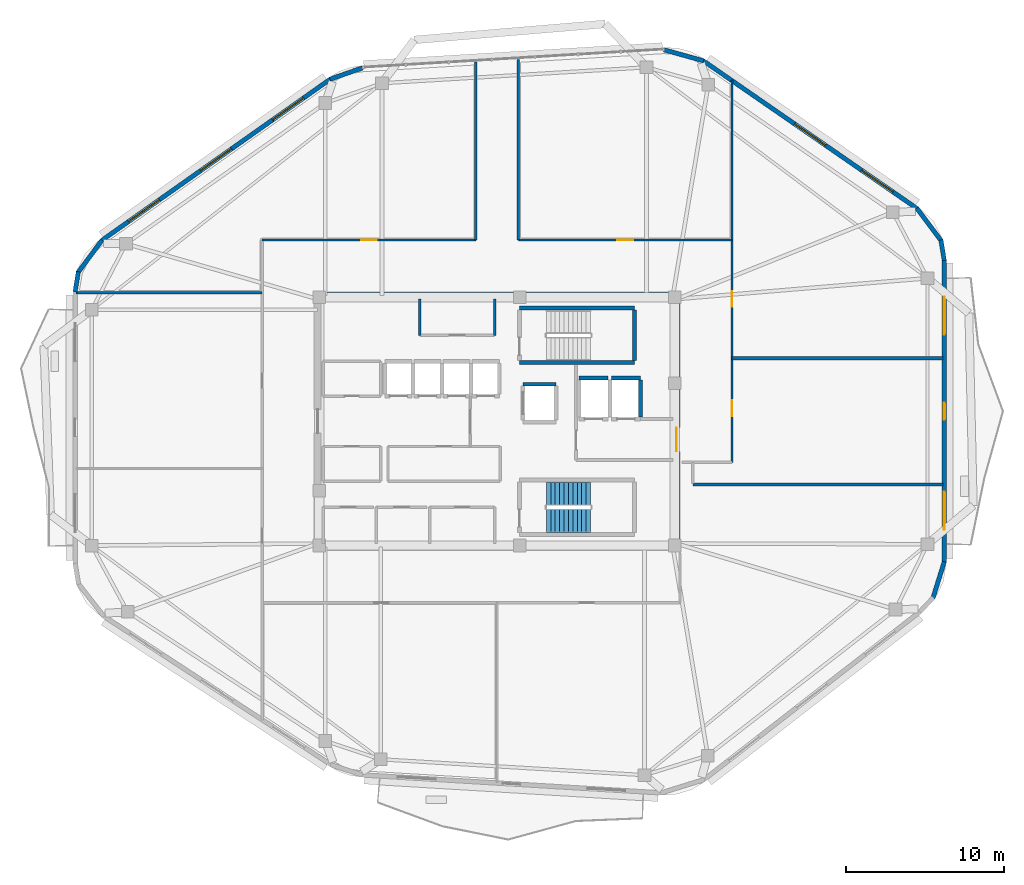
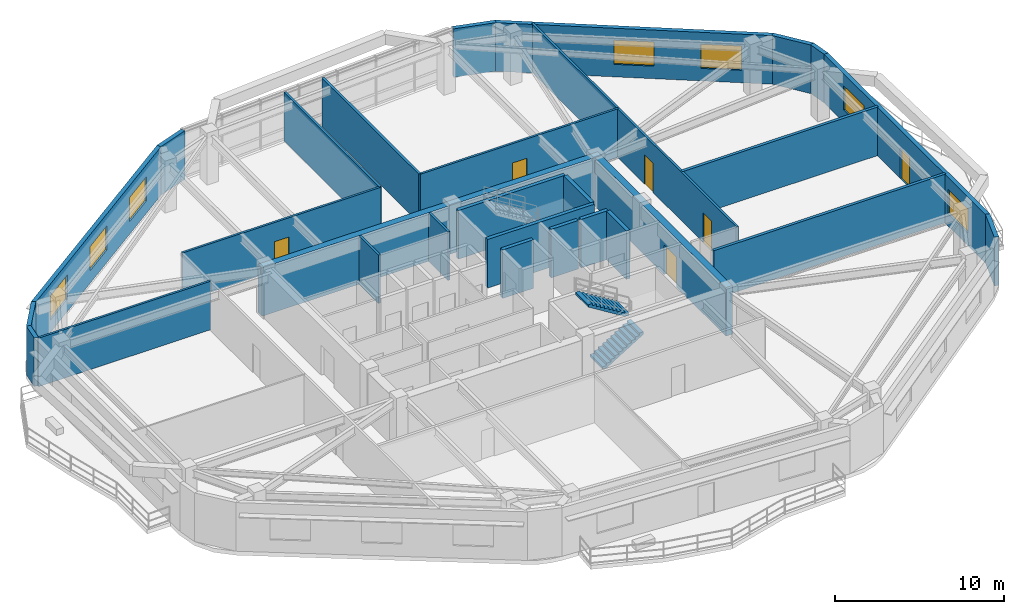
# One storey, part 8 of 12: 29 walls, 7 windows, 6 doors, 2 stair flights, 13 openings, 1 element without a shape of its own.
"""IFC4 building model written with IfcOpenShell, lengths in metres."""

from ifc_helpers import new_model, si_unit, direction, frame, frame_2d, origin, place, context, subcontext, project, spatial, polyline, rectangle, outline, extrude, material, layer, layer_set, type_object, element, fill, aggregate, save


model = new_model("IFC4")

# Units and contexts
model_context = context("Model", 3, precision=1e-05, world=origin(), true_north=direction((0.0, 1.0)))
body_context = subcontext(model_context, "Body", "Model", "MODEL_VIEW")
ifc_project = project(units=[si_unit("LENGTHUNIT", "METRE"), si_unit("AREAUNIT", "SQUARE_METRE"), si_unit("VOLUMEUNIT", "CUBIC_METRE"), si_unit("PLANEANGLEUNIT", "RADIAN"), si_unit("MASSUNIT", "GRAM", prefix="KILO")], contexts=[model_context])

# Site, building, storey
site_placement = place(None, origin())
site = spatial("IfcSite", under=ifc_project, at=site_placement, CompositionType="ELEMENT")
building_placement = place(site_placement, origin())
building = spatial("IfcBuilding", under=site, at=building_placement, Name="Zulverin Broadcast Headquarters", CompositionType="ELEMENT")
storey_placement = place(building_placement, frame((0.0, 0.0, 263.0)))
storey = spatial("IfcBuildingStorey", under=building, at=storey_placement, Name="L67", CompositionType="ELEMENT", Elevation=263.0)

# Walls
ifc_material_1 = material(Name="Acoustic drywall steel stud", Category="steel")
ifc_layer_1 = layer(ifc_material_1, 0.199951171875, Name="Acoustic drywall steel stud", Category="steel")
ifc_layer_set_1 = layer_set([ifc_layer_1], Name="Acoustic drywall steel stud")
wall_type_1 = type_object("IfcWallType", Name="WL-ACOU-200", PredefinedType="PARTITIONING", material=ifc_layer_set_1)
wall_1_placement = place(storey_placement, frame((49.43994140625, 21.199951171875, 0.0), z_axis=(0.0, 0.0, 1.0), x_axis=(1.0, 0.0, 0.0)))
element("IfcWall", 1, at=wall_1_placement, inside=storey, type_object=wall_type_1, Name="L67 Room Partition Wall RP-09", PredefinedType="PARTITIONING", context=body_context, shape_type="SweptSolid", body=[
    extrude(rectangle(XDim=15.85498046875, YDim=0.199951171875, at=frame_2d((7.927490234375, 0.0))), origin(), (0.0, 0.0, 1.0), 3.510009765625),
])
wall_2_placement = place(storey_placement, frame((51.89990234375, 29.199951171875, 0.0), z_axis=(0.0, 0.0, 1.0), x_axis=(1.0, 0.0, 0.0)))
element("IfcWall", 2, at=wall_2_placement, inside=storey, type_object=wall_type_1, Name="L67 Room Partition Wall RP-12", PredefinedType="PARTITIONING", context=body_context, shape_type="SweptSolid", body=[
    extrude(rectangle(XDim=13.39501953125, YDim=0.199951171875, at=frame_2d((6.697509765625, 0.0))), origin(), (0.0, 0.0, 1.0), 3.510009765625),
])
ifc_material_2 = material(Name="Concrete C50/60", Category="concrete")
ifc_layer_2 = layer(ifc_material_2, 0.449951171875, Name="Concrete C50/60", Category="concrete")
ifc_layer_set_2 = layer_set([ifc_layer_2], Name="Concrete C50/60")
wall_type_2 = type_object("IfcWallType", Name="WL-CORE-450", PredefinedType="SHEAR", material=ifc_layer_set_2)
wall_3_placement = place(storey_placement, frame((25.39990234375, 33.175048828125, 0.0), z_axis=(0.0, 0.0, 1.0), x_axis=(1.0, 0.0, 0.0)))
element("IfcWall", 3, at=wall_3_placement, inside=storey, type_object=wall_type_2, Name="L67 Core North Shear Wall", PredefinedType="SHEAR", context=body_context, shape_type="SweptSolid", body=[
    extrude(rectangle(XDim=23.2001953125, YDim=0.449951171875, at=frame_2d((11.60009765625, 0.0))), origin(), (0.0, 0.0, 1.0), 3.510009765625),
])

# Wall, opening, door
wall_4_placement = place(storey_placement, frame((48.375, 17.449951171875, 0.0), z_axis=(0.0, 0.0, 1.0), x_axis=(0.0, 1.0, 0.0)))
wall_4 = element("IfcWall", 4, at=wall_4_placement, inside=storey, type_object=wall_type_2, Name="L67 Core East Shear Wall", PredefinedType="SHEAR", context=body_context, shape_type="SweptSolid", body=[
    extrude(rectangle(XDim=15.5, YDim=0.449951171875, at=frame_2d((7.75, 0.0))), origin(), (0.0, 0.0, 1.0), 3.510009765625),
])
opening_1_placement = place(wall_4_placement, frame((5.85009765625, 0.0, 0.0)))
opening_1 = element("IfcOpeningElement", 5, at=opening_1_placement, cuts=wall_4, Name="Opening D-L67-CE1", PredefinedType="OPENING", context=body_context, shape_type="SweptSolid", body=[
    extrude(rectangle(XDim=1.5, YDim=2.14990234375, at=frame_2d((0.75, 1.074951171875))), frame((0.0, 0.23486328125, 0.0), z_axis=(0.0, -1.0, 0.0), x_axis=(1.0, 0.0, 0.0)), (0.0, 0.0, 1.0), 0.469970703125),
])
ifc_material_3 = material(Name="Fire-rated glazed steel frame", Category="steel")
door_type_1 = type_object("IfcDoorType", Name="DR-COR-1500", OperationType="DOUBLE_DOOR_SINGLE_SWING", PredefinedType="DOOR", material=ifc_material_3)
door_1_placement = place(opening_1_placement, origin())
door_1 = element("IfcDoor", 6, at=door_1_placement, inside=storey, type_object=door_type_1, Name="L67 Firefighting Lobby East Corridor Door", OperationType="DOUBLE_DOOR_SINGLE_SWING", OverallHeight=2.14990234375, OverallWidth=1.5, PredefinedType="DOOR", context=body_context, shape_type="SweptSolid", body=[
    extrude(rectangle(XDim=1.5, YDim=2.14990234375, at=frame_2d((0.75, 1.074951171875))), frame((0.0, 0.02490234375, 0.0), z_axis=(0.0, -1.0, 0.0), x_axis=(1.0, 0.0, 0.0)), (0.0, 0.0, 1.0), 0.050048828125),
])
fill(opening_1, door_1)

# Wall, openings, door, windows
ifc_material_4 = material(Name="Insulated pale-metal clad concrete spandrel C40/50", Category="concrete")
ifc_layer_3 = layer(ifc_material_4, 0.280029296875, Name="Insulated pale-metal clad concrete spandrel C40/50", Category="concrete")
ifc_layer_set_3 = layer_set([ifc_layer_3], Name="Insulated pale-metal clad concrete spandrel C40/50")
wall_type_3 = type_object("IfcWallType", Name="WL-EXT-280", PredefinedType="STANDARD", material=ifc_layer_set_3)
wall_5_placement = place(storey_placement, frame((65.360107421875, 16.2578125, 0.0), z_axis=(0.0, 0.0, 1.0), x_axis=(0.0, 1.0, 0.0)))
wall_5 = element("IfcWall", 7, at=wall_5_placement, inside=storey, type_object=wall_type_3, Name="L67 Pale-Metal Clad Spandrel Wall 3", PredefinedType="STANDARD", context=body_context, shape_type="SweptSolid", body=[
    extrude(rectangle(XDim=19.16796875, YDim=0.280029296875, at=frame_2d((9.583984375, 0.0))), origin(), (0.0, 0.0, 1.0), 3.510009765625),
])
opening_2_placement = place(wall_5_placement, frame((9.033935546875, 0.0, 0.0)))
opening_2 = element("IfcOpeningElement", 8, at=opening_2_placement, cuts=wall_5, Name="Opening D-L67-TR3", PredefinedType="OPENING", context=body_context, shape_type="SweptSolid", body=[
    extrude(rectangle(XDim=1.10009765625, YDim=2.199951171875, at=frame_2d((0.550048828125, 1.10009765625))), frame((0.0, 0.14990234375, 0.0), z_axis=(0.0, -1.0, 0.0), x_axis=(1.0, 0.0, 0.0)), (0.0, 0.0, 1.0), 0.300048828125),
])
opening_3_placement = place(wall_5_placement, frame((2.077880859375, 0.0, 0.89990234375)))
opening_3 = element("IfcOpeningElement", 9, at=opening_3_placement, cuts=wall_5, Name="Opening W-L67-E31", PredefinedType="OPENING", context=body_context, shape_type="SweptSolid", body=[
    extrude(rectangle(XDim=2.39990234375, YDim=1.75, at=frame_2d((1.199951171875, 0.875))), frame((0.0, 0.14990234375, 0.0), z_axis=(0.0, -1.0, 0.0), x_axis=(1.0, 0.0, 0.0)), (0.0, 0.0, 1.0), 0.300048828125),
])
opening_4_placement = place(wall_5_placement, frame((14.43994140625, 0.0, 0.89990234375)))
opening_4 = element("IfcOpeningElement", 10, at=opening_4_placement, cuts=wall_5, Name="Opening W-L67-E32", PredefinedType="OPENING", context=body_context, shape_type="SweptSolid", body=[
    extrude(rectangle(XDim=2.39990234375, YDim=1.75, at=frame_2d((1.199951171875, 0.875))), frame((0.0, 0.14990234375, 0.0), z_axis=(0.0, -1.0, 0.0), x_axis=(1.0, 0.0, 0.0)), (0.0, 0.0, 1.0), 0.300048828125),
])
ifc_material_5 = material(Name="Thermally broken aluminium glazed", Category="aluminium")
door_type_2 = type_object("IfcDoorType", Name="DR-TERR-1100", OperationType="SINGLE_SWING_RIGHT", PredefinedType="DOOR", material=ifc_material_5)
door_2_placement = place(opening_2_placement, origin())
door_2 = element("IfcDoor", 11, at=door_2_placement, inside=storey, type_object=door_type_2, Name="L67 Planted Terrace Glazed Access Door 3", OperationType="SINGLE_SWING_RIGHT", OverallHeight=2.199951171875, OverallWidth=1.10009765625, PredefinedType="DOOR", context=body_context, shape_type="SweptSolid", body=[
    extrude(rectangle(XDim=1.10009765625, YDim=2.199951171875, at=frame_2d((0.550048828125, 1.10009765625))), frame((0.0, 0.02490234375, 0.0), z_axis=(0.0, -1.0, 0.0), x_axis=(1.0, 0.0, 0.0)), (0.0, 0.0, 1.0), 0.050048828125),
])
fill(opening_2, door_2)
ifc_material_6 = material(Name="Pale anodized aluminium frame with solar-control low-E double glazing", Category="aluminium")
window_type = type_object("IfcWindowType", Name="WIN-RIB-2400", PartitioningType="SINGLE_PANEL", PredefinedType="WINDOW", material=ifc_material_6)
window_1_placement = place(opening_3_placement, origin())
window_1 = element("IfcWindow", 12, at=window_1_placement, inside=storey, type_object=window_type, Name="L67 Ribbon Glazing Window 3 1", OverallHeight=1.75, OverallWidth=2.39990234375, PartitioningType="SINGLE_PANEL", PredefinedType="WINDOW", context=body_context, shape_type="SweptSolid", body=[
    extrude(rectangle(XDim=2.39990234375, YDim=1.75, at=frame_2d((1.199951171875, 0.875))), frame((0.0, 0.030029296875, 0.0), z_axis=(0.0, -1.0, 0.0), x_axis=(1.0, 0.0, 0.0)), (0.0, 0.0, 1.0), 0.06005859375),
])
fill(opening_3, window_1)
window_2_placement = place(opening_4_placement, origin())
window_2 = element("IfcWindow", 13, at=window_2_placement, inside=storey, type_object=window_type, Name="L67 Ribbon Glazing Window 3 2", OverallHeight=1.75, OverallWidth=2.39990234375, PartitioningType="SINGLE_PANEL", PredefinedType="WINDOW", context=body_context, shape_type="SweptSolid", body=[
    extrude(rectangle(XDim=2.39990234375, YDim=1.75, at=frame_2d((1.199951171875, 0.875))), frame((0.0, 0.030029296875, 0.0), z_axis=(0.0, -1.0, 0.0), x_axis=(1.0, 0.0, 0.0)), (0.0, 0.0, 1.0), 0.06005859375),
])
fill(opening_4, window_2)

# Wall, openings, windows
wall_6_placement = place(storey_placement, frame((63.6513671875, 38.683349609375, 0.0), z_axis=(0.0, 0.0, 1.0), x_axis=(-0.822655095, 0.568540759022, 0.0)))
wall_6 = element("IfcWall", 14, at=wall_6_placement, inside=storey, type_object=wall_type_3, Name="L67 Pale-Metal Clad Spandrel Wall 4", PredefinedType="STANDARD", context=body_context, shape_type="SweptSolid", body=[
    extrude(rectangle(XDim=16.52783203125, YDim=0.280029296875, at=frame_2d((8.263916015625, 0.0))), origin(), (0.0, 0.0, 1.0), 3.510009765625),
])
opening_5_placement = place(wall_6_placement, frame((1.887939453125, 0.0, 0.89990234375)))
opening_5 = element("IfcOpeningElement", 15, at=opening_5_placement, cuts=wall_6, Name="Opening W-L67-E41", PredefinedType="OPENING", context=body_context, shape_type="SweptSolid", body=[
    extrude(rectangle(XDim=2.39990234375, YDim=1.75, at=frame_2d((1.199951171875, 0.875))), frame((0.0, 0.14990234375, 0.0), z_axis=(0.0, -1.0, 0.0), x_axis=(1.0, 0.0, 0.0)), (0.0, 0.0, 1.0), 0.300048828125),
])
opening_6_placement = place(wall_6_placement, frame((7.06396484375, 0.0, 0.89990234375)))
opening_6 = element("IfcOpeningElement", 16, at=opening_6_placement, cuts=wall_6, Name="Opening W-L67-E42", PredefinedType="OPENING", context=body_context, shape_type="SweptSolid", body=[
    extrude(rectangle(XDim=2.39990234375, YDim=1.75, at=frame_2d((1.199951171875, 0.875))), frame((0.0, 0.14990234375, 0.0), z_axis=(0.0, -1.0, 0.0), x_axis=(1.0, 0.0, 0.0)), (0.0, 0.0, 1.0), 0.300048828125),
])
window_3_placement = place(opening_5_placement, origin())
window_3 = element("IfcWindow", 17, at=window_3_placement, inside=storey, type_object=window_type, Name="L67 Ribbon Glazing Window 4 1", OverallHeight=1.75, OverallWidth=2.39990234375, PartitioningType="SINGLE_PANEL", PredefinedType="WINDOW", context=body_context, shape_type="SweptSolid", body=[
    extrude(rectangle(XDim=2.39990234375, YDim=1.75, at=frame_2d((1.199951171875, 0.875))), frame((0.0, 0.030029296875, 0.0), z_axis=(0.0, -1.0, 0.0), x_axis=(1.0, 0.0, 0.0)), (0.0, 0.0, 1.0), 0.06005859375),
])
fill(opening_5, window_3)
window_4_placement = place(opening_6_placement, origin())
window_4 = element("IfcWindow", 18, at=window_4_placement, inside=storey, type_object=window_type, Name="L67 Ribbon Glazing Window 4 2", OverallHeight=1.75, OverallWidth=2.39990234375, PartitioningType="SINGLE_PANEL", PredefinedType="WINDOW", context=body_context, shape_type="SweptSolid", body=[
    extrude(rectangle(XDim=2.39990234375, YDim=1.75, at=frame_2d((1.199951171875, 0.875))), frame((0.0, 0.030029296875, 0.0), z_axis=(0.0, -1.0, 0.0), x_axis=(1.0, 0.0, 0.0)), (0.0, 0.0, 1.0), 0.06005859375),
])
fill(opening_6, window_4)

wall_7_placement = place(storey_placement, frame((26.443115234375, 46.91259765625, 0.0), z_axis=(0.0, 0.0, 1.0), x_axis=(-0.817024179766, -0.576603407619, 0.0)))
wall_7 = element("IfcWall", 19, at=wall_7_placement, inside=storey, type_object=wall_type_3, Name="L67 Pale-Metal Clad Spandrel Wall 6", PredefinedType="STANDARD", context=body_context, shape_type="SweptSolid", body=[
    extrude(rectangle(XDim=17.77978515625, YDim=0.280029296875, at=frame_2d((8.889892578125, 0.0))), origin(), (0.0, 0.0, 1.0), 3.510009765625),
])
opening_7_placement = place(wall_7_placement, frame((2.0966796875, 0.0, 0.89990234375)))
opening_7 = element("IfcOpeningElement", 20, at=opening_7_placement, cuts=wall_7, Name="Opening W-L67-E61", PredefinedType="OPENING", context=body_context, shape_type="SweptSolid", body=[
    extrude(rectangle(XDim=2.39990234375, YDim=1.75, at=frame_2d((1.199951171875, 0.875))), frame((0.0, 0.14990234375, 0.0), z_axis=(0.0, -1.0, 0.0), x_axis=(1.0, 0.0, 0.0)), (0.0, 0.0, 1.0), 0.300048828125),
])
opening_8_placement = place(wall_7_placement, frame((7.68994140625, 0.0, 0.89990234375)))
opening_8 = element("IfcOpeningElement", 21, at=opening_8_placement, cuts=wall_7, Name="Opening W-L67-E62", PredefinedType="OPENING", context=body_context, shape_type="SweptSolid", body=[
    extrude(rectangle(XDim=2.39990234375, YDim=1.75, at=frame_2d((1.199951171875, 0.875))), frame((0.0, 0.14990234375, 0.0), z_axis=(0.0, -1.0, 0.0), x_axis=(1.0, 0.0, 0.0)), (0.0, 0.0, 1.0), 0.300048828125),
])
opening_9_placement = place(wall_7_placement, frame((13.283203125, 0.0, 0.89990234375)))
opening_9 = element("IfcOpeningElement", 22, at=opening_9_placement, cuts=wall_7, Name="Opening W-L67-E63", PredefinedType="OPENING", context=body_context, shape_type="SweptSolid", body=[
    extrude(rectangle(XDim=2.39990234375, YDim=1.75, at=frame_2d((1.199951171875, 0.875))), frame((0.0, 0.14990234375, 0.0), z_axis=(0.0, -1.0, 0.0), x_axis=(1.0, 0.0, 0.0)), (0.0, 0.0, 1.0), 0.300048828125),
])
window_5_placement = place(opening_7_placement, origin())
window_5 = element("IfcWindow", 23, at=window_5_placement, inside=storey, type_object=window_type, Name="L67 Ribbon Glazing Window 6 1", OverallHeight=1.75, OverallWidth=2.39990234375, PartitioningType="SINGLE_PANEL", PredefinedType="WINDOW", context=body_context, shape_type="SweptSolid", body=[
    extrude(rectangle(XDim=2.39990234375, YDim=1.75, at=frame_2d((1.199951171875, 0.875))), frame((0.0, 0.030029296875, 0.0), z_axis=(0.0, -1.0, 0.0), x_axis=(1.0, 0.0, 0.0)), (0.0, 0.0, 1.0), 0.06005859375),
])
fill(opening_7, window_5)
window_6_placement = place(opening_8_placement, origin())
window_6 = element("IfcWindow", 24, at=window_6_placement, inside=storey, type_object=window_type, Name="L67 Ribbon Glazing Window 6 2", OverallHeight=1.75, OverallWidth=2.39990234375, PartitioningType="SINGLE_PANEL", PredefinedType="WINDOW", context=body_context, shape_type="SweptSolid", body=[
    extrude(rectangle(XDim=2.39990234375, YDim=1.75, at=frame_2d((1.199951171875, 0.875))), frame((0.0, 0.030029296875, 0.0), z_axis=(0.0, -1.0, 0.0), x_axis=(1.0, 0.0, 0.0)), (0.0, 0.0, 1.0), 0.06005859375),
])
fill(opening_8, window_6)
window_7_placement = place(opening_9_placement, origin())
window_7 = element("IfcWindow", 25, at=window_7_placement, inside=storey, type_object=window_type, Name="L67 Ribbon Glazing Window 6 3", OverallHeight=1.75, OverallWidth=2.39990234375, PartitioningType="SINGLE_PANEL", PredefinedType="WINDOW", context=body_context, shape_type="SweptSolid", body=[
    extrude(rectangle(XDim=2.39990234375, YDim=1.75, at=frame_2d((1.199951171875, 0.875))), frame((0.0, 0.030029296875, 0.0), z_axis=(0.0, -1.0, 0.0), x_axis=(1.0, 0.0, 0.0)), (0.0, 0.0, 1.0), 0.06005859375),
])
fill(opening_9, window_7)

# Walls
wall_8_placement = place(storey_placement, frame((64.635009765625, 13.962158203125, 0.0), z_axis=(0.0, 0.0, 1.0), x_axis=(0.298649578722, 0.954362839348, 0.0)))
element("IfcWall", 26, at=wall_8_placement, inside=storey, type_object=wall_type_3, Name="L67 Wind-Shaped Corner Spandrel Wall 2-2", PredefinedType="STANDARD", context=body_context, shape_type="SweptSolid", body=[
    extrude(rectangle(XDim=2.44921875, YDim=0.280029296875, at=frame_2d((1.224609375, 0.0))), origin(), (0.0, 0.0, 1.0), 3.510009765625),
])
wall_9_placement = place(storey_placement, frame((65.36181640625, 35.4033203125, 0.0), z_axis=(0.0, 0.0, 1.0), x_axis=(-0.160271674114, 0.987072940809, 0.0)))
element("IfcWall", 27, at=wall_9_placement, inside=storey, type_object=wall_type_3, Name="L67 Wind-Shaped Corner Spandrel Wall 3-1", PredefinedType="STANDARD", context=body_context, shape_type="SweptSolid", body=[
    extrude(rectangle(XDim=1.314697265625, YDim=0.280029296875, at=frame_2d((0.6572265625, 0.0))), origin(), (0.0, 0.0, 1.0), 3.510009765625),
])
wall_10_placement = place(storey_placement, frame((65.17724609375, 36.63916015625, 0.0), z_axis=(0.0, 0.0, 1.0), x_axis=(-0.600436386467, 0.799672524104, 0.0)))
element("IfcWall", 28, at=wall_10_placement, inside=storey, type_object=wall_type_3, Name="L67 Wind-Shaped Corner Spandrel Wall 3-2", PredefinedType="STANDARD", context=body_context, shape_type="SweptSolid", body=[
    extrude(rectangle(XDim=2.595458984375, YDim=0.280029296875, at=frame_2d((1.2978515625, 0.0))), origin(), (0.0, 0.0, 1.0), 3.510009765625),
])
wall_11_placement = place(storey_placement, frame((50.096435546875, 48.060546875, 0.0), z_axis=(0.0, 0.0, 1.0), x_axis=(-0.963120241504, 0.269071366751, 0.0)))
element("IfcWall", 29, at=wall_11_placement, inside=storey, type_object=wall_type_3, Name="L67 Wind-Shaped Corner Spandrel Wall 4-1", PredefinedType="STANDARD", context=body_context, shape_type="SweptSolid", body=[
    extrude(rectangle(XDim=2.6103515625, YDim=0.280029296875, at=frame_2d((1.30517578125, 0.0))), origin(), (0.0, 0.0, 1.0), 3.510009765625),
])
wall_12_placement = place(storey_placement, frame((28.4658203125, 47.6162109375, 0.0), z_axis=(0.0, 0.0, 1.0), x_axis=(-0.94368711622, -0.330839276206, 0.0)))
element("IfcWall", 30, at=wall_12_placement, inside=storey, type_object=wall_type_3, Name="L67 Wind-Shaped Corner Spandrel Wall 5-1", PredefinedType="STANDARD", context=body_context, shape_type="SweptSolid", body=[
    extrude(rectangle(XDim=2.179931640625, YDim=0.280029296875, at=frame_2d((1.08984375, 0.0))), origin(), (0.0, 0.0, 1.0), 3.510009765625),
])
wall_13_placement = place(storey_placement, frame((11.948486328125, 36.69189453125, 0.0), z_axis=(0.0, 0.0, 1.0), x_axis=(-0.595170751493, -0.803599263668, 0.0)))
element("IfcWall", 31, at=wall_13_placement, inside=storey, type_object=wall_type_3, Name="L67 Wind-Shaped Corner Spandrel Wall 6-1", PredefinedType="STANDARD", context=body_context, shape_type="SweptSolid", body=[
    extrude(rectangle(XDim=2.56982421875, YDim=0.280029296875, at=frame_2d((1.284912109375, 0.0))), origin(), (0.0, 0.0, 1.0), 3.510009765625),
])
wall_14_placement = place(storey_placement, frame((10.444580078125, 34.68798828125, 0.0), z_axis=(0.0, 0.0, 1.0), x_axis=(-0.158524605336, -0.987355027081, 0.0)))
element("IfcWall", 32, at=wall_14_placement, inside=storey, type_object=wall_type_3, Name="L67 Wind-Shaped Corner Spandrel Wall 6-2", PredefinedType="STANDARD", context=body_context, shape_type="SweptSolid", body=[
    extrude(rectangle(XDim=1.30126953125, YDim=0.280029296875, at=frame_2d((0.650634765625, 0.0))), origin(), (0.0, 0.0, 1.0), 3.510009765625),
])
ifc_material_7 = material(Name="Fire-rated gypsum stud partition", Category="gypsum")
ifc_layer_4 = layer(ifc_material_7, 0.14990234375, Name="Fire-rated gypsum stud partition", Category="gypsum")
ifc_layer_set_4 = layer_set([ifc_layer_4], Name="Fire-rated gypsum stud partition")
wall_type_4 = type_object("IfcWallType", Name="WL-PART-150", PredefinedType="PARTITIONING", material=ifc_layer_set_4)
for number, where, z_axis, x_axis, name in (
    (33, (32.10009765625, 30.64990234375, 0.0), (0.0, 0.0, 1.0), (0.0, 1.0, 0.0), "L67 Core Accessible WC & Electrical Riser West Wall"),
    (34, (36.85009765625, 30.64990234375, 0.0), (0.0, 0.0, 1.0), (0.0, 1.0, 0.0), "L67 Core Accessible WC & Electrical Riser East Wall"),
):
    element("IfcWall", number, at=place(storey_placement, frame(where, z_axis=z_axis, x_axis=x_axis)), inside=storey, type_object=wall_type_4, Name=name, PredefinedType="PARTITIONING", context=body_context, shape_type="SweptSolid", body=[
        extrude(rectangle(XDim=2.300048828125, YDim=0.14990234375, at=frame_2d((1.14990234375, 0.0))), origin(), (0.0, 0.0, 1.0), 3.510009765625),
    ])

# Wall, openings, doors
wall_15_placement = place(storey_placement, frame((51.89990234375, 22.60009765625, 0.0), z_axis=(0.0, 0.0, 1.0), x_axis=(0.0, 1.0, 0.0)))
wall_15 = element("IfcWall", 35, at=wall_15_placement, inside=storey, type_object=wall_type_4, Name="L67 Gallery Partition Wall CG-01", PredefinedType="PARTITIONING", context=body_context, shape_type="SweptSolid", body=[
    extrude(rectangle(XDim=24.23486328125, YDim=0.14990234375, at=frame_2d((12.117431640625, 0.0))), origin(), (0.0, 0.0, 1.0), 3.510009765625),
])
opening_10_placement = place(wall_15_placement, frame((2.919921875, 0.0, 0.0)))
opening_10 = element("IfcOpeningElement", 36, at=opening_10_placement, cuts=wall_15, Name="Opening D-L67-07", PredefinedType="OPENING", context=body_context, shape_type="SweptSolid", body=[
    extrude(rectangle(XDim=1.0, YDim=2.1201171875, at=frame_2d((0.5, 1.06005859375))), frame((0.0, 0.0849609375, 0.0), z_axis=(0.0, -1.0, 0.0), x_axis=(1.0, 0.0, 0.0)), (0.0, 0.0, 1.0), 0.169921875),
])
opening_11_placement = place(wall_15_placement, frame((9.85009765625, 0.0, 0.0)))
opening_11 = element("IfcOpeningElement", 37, at=opening_11_placement, cuts=wall_15, Name="Opening D-L67-08", PredefinedType="OPENING", context=body_context, shape_type="SweptSolid", body=[
    extrude(rectangle(XDim=1.0, YDim=2.1201171875, at=frame_2d((0.5, 1.06005859375))), frame((0.0, 0.0849609375, 0.0), z_axis=(0.0, -1.0, 0.0), x_axis=(1.0, 0.0, 0.0)), (0.0, 0.0, 1.0), 0.169921875),
])
ifc_material_8 = material(Name="Hardwood veneer acoustic leaf", Category="wood")
door_type_3 = type_object("IfcDoorType", Name="DR-OFF-1000", OperationType="SINGLE_SWING_LEFT", PredefinedType="DOOR", material=ifc_material_8)
door_3_placement = place(opening_10_placement, origin())
door_3 = element("IfcDoor", 38, at=door_3_placement, inside=storey, type_object=door_type_3, Name="L67 Flagship Talk-Show Office Door", OperationType="SINGLE_SWING_LEFT", OverallHeight=2.1201171875, OverallWidth=1.0, PredefinedType="DOOR", context=body_context, shape_type="SweptSolid", body=[
    extrude(rectangle(XDim=1.0, YDim=2.1201171875, at=frame_2d((0.5, 1.06005859375))), frame((0.0, 0.02490234375, 0.0), z_axis=(0.0, -1.0, 0.0), x_axis=(1.0, 0.0, 0.0)), (0.0, 0.0, 1.0), 0.050048828125),
])
fill(opening_10, door_3)
door_4_placement = place(opening_11_placement, origin())
door_4 = element("IfcDoor", 39, at=door_4_placement, inside=storey, type_object=door_type_3, Name="L67 Green Room Office Door", OperationType="SINGLE_SWING_RIGHT", OverallHeight=2.1201171875, OverallWidth=1.0, PredefinedType="DOOR", context=body_context, shape_type="SweptSolid", body=[
    extrude(rectangle(XDim=1.0, YDim=2.1201171875, at=frame_2d((0.5, 1.06005859375))), frame((0.0, 0.02490234375, 0.0), z_axis=(0.0, -1.0, 0.0), x_axis=(1.0, 0.0, 0.0)), (0.0, 0.0, 1.0), 0.050048828125),
])
fill(opening_11, door_4)

# Walls
wall_16_placement = place(storey_placement, frame((35.64990234375, 36.699951171875, 0.0), z_axis=(0.0, 0.0, 1.0), x_axis=(0.0, 1.0, 0.0)))
element("IfcWall", 40, at=wall_16_placement, inside=storey, type_object=wall_type_4, Name="L67 Gallery Partition Wall CG-06", PredefinedType="PARTITIONING", context=body_context, shape_type="SweptSolid", body=[
    extrude(rectangle(XDim=11.29541015625, YDim=0.14990234375, at=frame_2d((5.647705078125, 0.0))), origin(), (0.0, 0.0, 1.0), 3.510009765625),
])
wall_17_placement = place(storey_placement, frame((10.304931640625, 33.35009765625, 0.0), z_axis=(0.0, 0.0, 1.0), x_axis=(1.0, 0.0, 0.0)))
element("IfcWall", 41, at=wall_17_placement, inside=storey, type_object=wall_type_4, Name="L67 Room Partition Wall RP-13", PredefinedType="PARTITIONING", context=body_context, shape_type="SweptSolid", body=[
    extrude(rectangle(XDim=11.795166015625, YDim=0.14990234375, at=frame_2d((5.8974609375, 0.0))), origin(), (0.0, 0.0, 1.0), 3.510009765625),
])

# Wall, opening, door
wall_18_placement = place(storey_placement, frame((22.10009765625, 36.699951171875, 0.0), z_axis=(0.0, 0.0, 1.0), x_axis=(1.0, 0.0, 0.0)))
wall_18 = element("IfcWall", 42, at=wall_18_placement, inside=storey, type_object=wall_type_4, Name="L67 Gallery Partition Wall CG-14", PredefinedType="PARTITIONING", context=body_context, shape_type="SweptSolid", body=[
    extrude(rectangle(XDim=13.5498046875, YDim=0.14990234375, at=frame_2d((6.77490234375, 0.0))), origin(), (0.0, 0.0, 1.0), 3.510009765625),
])
opening_12_placement = place(wall_18_placement, frame((6.27490234375, 0.0, 0.0)))
opening_12 = element("IfcOpeningElement", 43, at=opening_12_placement, cuts=wall_18, Name="Opening D-L67-01", PredefinedType="OPENING", context=body_context, shape_type="SweptSolid", body=[
    extrude(rectangle(XDim=1.0, YDim=2.1201171875, at=frame_2d((0.5, 1.06005859375))), frame((0.0, 0.0849609375, 0.0), z_axis=(0.0, -1.0, 0.0), x_axis=(1.0, 0.0, 0.0)), (0.0, 0.0, 1.0), 0.169921875),
])
door_5_placement = place(opening_12_placement, origin())
door_5 = element("IfcDoor", 44, at=door_5_placement, inside=storey, type_object=door_type_3, Name="L67 Flagship Talk-Show Office Door", OperationType="SINGLE_SWING_LEFT", OverallHeight=2.1201171875, OverallWidth=1.0, PredefinedType="DOOR", context=body_context, shape_type="SweptSolid", body=[
    extrude(rectangle(XDim=1.0, YDim=2.1201171875, at=frame_2d((0.5, 1.06005859375))), frame((0.0, 0.02490234375, 0.0), z_axis=(0.0, -1.0, 0.0), x_axis=(1.0, 0.0, 0.0)), (0.0, 0.0, 1.0), 0.050048828125),
])
fill(opening_12, door_5)

wall_19_placement = place(storey_placement, frame((38.35009765625, 36.699951171875, 0.0), z_axis=(0.0, 0.0, 1.0), x_axis=(1.0, 0.0, 0.0)))
wall_19 = element("IfcWall", 45, at=wall_19_placement, inside=storey, type_object=wall_type_4, Name="L67 Gallery Partition Wall CG-15", PredefinedType="PARTITIONING", context=body_context, shape_type="SweptSolid", body=[
    extrude(rectangle(XDim=13.5498046875, YDim=0.14990234375, at=frame_2d((6.77490234375, 0.0))), origin(), (0.0, 0.0, 1.0), 3.510009765625),
])
opening_13_placement = place(wall_19_placement, frame((6.27490234375, 0.0, 0.0)))
opening_13 = element("IfcOpeningElement", 46, at=opening_13_placement, cuts=wall_19, Name="Opening D-L67-02", PredefinedType="OPENING", context=body_context, shape_type="SweptSolid", body=[
    extrude(rectangle(XDim=1.0, YDim=2.1201171875, at=frame_2d((0.5, 1.06005859375))), frame((0.0, 0.0849609375, 0.0), z_axis=(0.0, -1.0, 0.0), x_axis=(1.0, 0.0, 0.0)), (0.0, 0.0, 1.0), 0.169921875),
])
door_6_placement = place(opening_13_placement, origin())
door_6 = element("IfcDoor", 47, at=door_6_placement, inside=storey, type_object=door_type_3, Name="L67 Green Room Office Door", OperationType="SINGLE_SWING_RIGHT", OverallHeight=2.1201171875, OverallWidth=1.0, PredefinedType="DOOR", context=body_context, shape_type="SweptSolid", body=[
    extrude(rectangle(XDim=1.0, YDim=2.1201171875, at=frame_2d((0.5, 1.06005859375))), frame((0.0, 0.02490234375, 0.0), z_axis=(0.0, -1.0, 0.0), x_axis=(1.0, 0.0, 0.0)), (0.0, 0.0, 1.0), 0.050048828125),
])
fill(opening_13, door_6)

# Walls
ifc_material_9 = material(Name="Fire-rated acoustic stud wall", Category="gypsum")
ifc_layer_5 = layer(ifc_material_9, 0.175048828125, Name="Fire-rated acoustic stud wall", Category="gypsum")
ifc_layer_set_5 = layer_set([ifc_layer_5], Name="Fire-rated acoustic stud wall")
wall_type_5 = type_object("IfcWallType", Name="WL-PART-175", PredefinedType="PARTITIONING", material=ifc_layer_set_5)
wall_20_placement = place(storey_placement, frame((38.35009765625, 36.699951171875, 0.0), z_axis=(0.0, 0.0, 1.0), x_axis=(0.0, 1.0, 0.0)))
element("IfcWall", 48, at=wall_20_placement, inside=storey, type_object=wall_type_5, Name="L67 Gallery Partition Wall CG-04", PredefinedType="PARTITIONING", context=body_context, shape_type="SweptSolid", body=[
    extrude(rectangle(XDim=11.45751953125, YDim=0.175048828125, at=frame_2d((5.728759765625, 0.0))), origin(), (0.0, 0.0, 1.0), 3.510009765625),
])
ifc_layer_6 = layer(ifc_material_2, 0.25, Name="Concrete C50/60", Category="concrete")
ifc_layer_set_6 = layer_set([ifc_layer_6], Name="Concrete C50/60")
wall_type_6 = type_object("IfcWallType", Name="WL-SHAFT-250", PredefinedType="SHEAR", material=ifc_layer_set_6)
for number, where, z_axis, x_axis, name in (
    (49, (38.425048828125, 28.925048828125, 0.0), (0.0, 0.0, 1.0), (1.0, 0.0, 0.0), "L67 ST-1 Enclosure Wall S"),
    (50, (38.425048828125, 32.375, 0.0), (0.0, 0.0, 1.0), (1.0, 0.0, 0.0), "L67 ST-1 Enclosure Wall N"),
):
    element("IfcWall", number, at=place(storey_placement, frame(where, z_axis=z_axis, x_axis=x_axis)), inside=storey, type_object=wall_type_6, Name=name, PredefinedType="SHEAR", context=body_context, shape_type="SweptSolid", body=[
        extrude(rectangle(XDim=7.300048828125, YDim=0.25, at=frame_2d((3.64990234375, 0.0))), origin(), (0.0, 0.0, 1.0), 3.510009765625),
    ])
wall_21_placement = place(storey_placement, frame((45.72509765625, 29.050048828125, 0.0), z_axis=(0.0, 0.0, 1.0), x_axis=(0.0, 1.0, 0.0)))
element("IfcWall", 51, at=wall_21_placement, inside=storey, type_object=wall_type_6, Name="L67 ST-1 Enclosure Wall E", PredefinedType="SHEAR", context=body_context, shape_type="SweptSolid", body=[
    extrude(rectangle(XDim=3.199951171875, YDim=0.25, at=frame_2d((1.60009765625, 0.0))), origin(), (0.0, 0.0, 1.0), 3.510009765625),
])
for number, where, z_axis, x_axis, name in (
    (52, (42.199951171875, 27.949951171875, 0.0), (0.0, 0.0, 1.0), (1.0, 0.0, 0.0), "L67 Lift FFL-1 Shaft Wall N"),
    (53, (44.25, 27.949951171875, 0.0), (0.0, 0.0, 1.0), (1.0, 0.0, 0.0), "L67 Lift FFL-2 Shaft Wall N"),
):
    element("IfcWall", number, at=place(storey_placement, frame(where, z_axis=z_axis, x_axis=x_axis)), inside=storey, type_object=wall_type_6, Name=name, PredefinedType="SHEAR", context=body_context, shape_type="SweptSolid", body=[
        extrude(rectangle(XDim=1.85009765625, YDim=0.25, at=frame_2d((0.925048828125, 0.0))), origin(), (0.0, 0.0, 1.0), 3.510009765625),
    ])
wall_22_placement = place(storey_placement, frame((46.10009765625, 25.469970703125, 0.0), z_axis=(0.0, 0.0, 1.0), x_axis=(0.0, 1.0, 0.0)))
element("IfcWall", 54, at=wall_22_placement, inside=storey, type_object=wall_type_6, Name="L67 Lift FFL-2 Shaft Wall E", PredefinedType="SHEAR", context=body_context, shape_type="SweptSolid", body=[
    extrude(rectangle(XDim=2.360107421875, YDim=0.25, at=frame_2d((1.18017578125, 0.0))), origin(), (0.0, 0.0, 1.0), 3.510009765625),
])
wall_23_placement = place(storey_placement, frame((38.64990234375, 27.550048828125, 0.0), z_axis=(0.0, 0.0, 1.0), x_axis=(1.0, 0.0, 0.0)))
element("IfcWall", 55, at=wall_23_placement, inside=storey, type_object=wall_type_6, Name="L67 Lift SVL-1 Shaft Wall N", PredefinedType="SHEAR", context=body_context, shape_type="SweptSolid", body=[
    extrude(rectangle(XDim=2.10009765625, YDim=0.25, at=frame_2d((1.050048828125, 0.0))), origin(), (0.0, 0.0, 1.0), 3.510009765625),
])

# Stair, stair flights
ifc_material_10 = material(Name="Concrete C40/50", Category="concrete")
stair_type = type_object("IfcStairType", Name="ST-CORE-1500", PredefinedType="HALF_TURN_STAIR", material=ifc_material_10)
stair_placement = place(storey_placement, origin())
stair = element("IfcStair", 56, at=stair_placement, inside=storey, type_object=stair_type, Name="L67 Core Exit Stair ST-2", PredefinedType="HALF_TURN_STAIR")
stair_flight_type = type_object("IfcStairFlightType", Name="SF-CORE-1500", PredefinedType="STRAIGHT", material=ifc_material_10)
stair_flight_1_placement = place(storey_placement, frame((40.1298828125, 18.89990234375, 0.0), z_axis=(0.0, 0.0, 1.0), x_axis=(1.0, 0.0, 0.0)))
stair_flight_1 = element("IfcStairFlight", 57, at=stair_flight_1_placement, type_object=stair_flight_type, Name="ST-2 flight 1", NumberOfRisers=11, NumberOfTreads=10, PredefinedType="STRAIGHT", RiserHeight=0.172727273, TreadLength=0.28, context=body_context, shape_type="SweptSolid", body=[
    extrude(outline(polyline([(0.0, 0.0), (0.0, 0.172607421875), (0.280029296875, 0.172607421875), (0.280029296875, 0.345458984375), (0.56005859375, 0.345458984375), (0.56005859375, 0.51806640625), (0.840087890625, 0.51806640625), (0.840087890625, 0.69091796875), (1.1201171875, 0.69091796875), (1.1201171875, 0.863525390625), (1.39990234375, 0.863525390625), (1.39990234375, 1.036376953125), (1.679931640625, 1.036376953125), (1.679931640625, 1.208984375), (1.9599609375, 1.208984375), (1.9599609375, 1.3818359375), (2.239990234375, 1.3818359375), (2.239990234375, 1.554443359375), (2.52001953125, 1.554443359375), (2.52001953125, 1.727294921875), (2.800048828125, 1.727294921875), (2.800048828125, 1.89990234375), (2.800048828125, 1.551025390625), (0.285400390625, 0.0), (0.0, 0.0)])), frame((0.0, 0.75, 0.0), z_axis=(0.0, -1.0, 0.0), x_axis=(1.0, 0.0, 0.0)), (0.0, 0.0, 1.0), 1.5),
])
stair_flight_2_placement = place(storey_placement, frame((42.929931640625, 20.60009765625, 1.89990234375), z_axis=(0.0, 0.0, 1.0), x_axis=(-1.0, 0.0, 0.0)))
stair_flight_2 = element("IfcStairFlight", 58, at=stair_flight_2_placement, type_object=stair_flight_type, Name="ST-2 flight 2", NumberOfRisers=11, NumberOfTreads=10, PredefinedType="STRAIGHT", RiserHeight=0.172727273, TreadLength=0.28, context=body_context, shape_type="SweptSolid", body=[
    extrude(outline(polyline([(0.0, 0.0), (0.0, 0.172607421875), (0.280029296875, 0.172607421875), (0.280029296875, 0.345458984375), (0.56005859375, 0.345458984375), (0.56005859375, 0.51806640625), (0.840087890625, 0.51806640625), (0.840087890625, 0.69091796875), (1.1201171875, 0.69091796875), (1.1201171875, 0.863525390625), (1.39990234375, 0.863525390625), (1.39990234375, 1.036376953125), (1.679931640625, 1.036376953125), (1.679931640625, 1.208984375), (1.9599609375, 1.208984375), (1.9599609375, 1.3818359375), (2.239990234375, 1.3818359375), (2.239990234375, 1.554443359375), (2.52001953125, 1.554443359375), (2.52001953125, 1.727294921875), (2.800048828125, 1.727294921875), (2.800048828125, 1.89990234375), (2.800048828125, 1.551025390625), (0.285400390625, 0.0), (0.0, 0.0)])), frame((0.0, 0.75, 0.0), z_axis=(0.0, -1.0, 0.0), x_axis=(1.0, 0.0, 0.0)), (0.0, 0.0, 1.0), 1.5),
])
aggregate(stair, [stair_flight_1, stair_flight_2])

save(model, "model.ifc")
